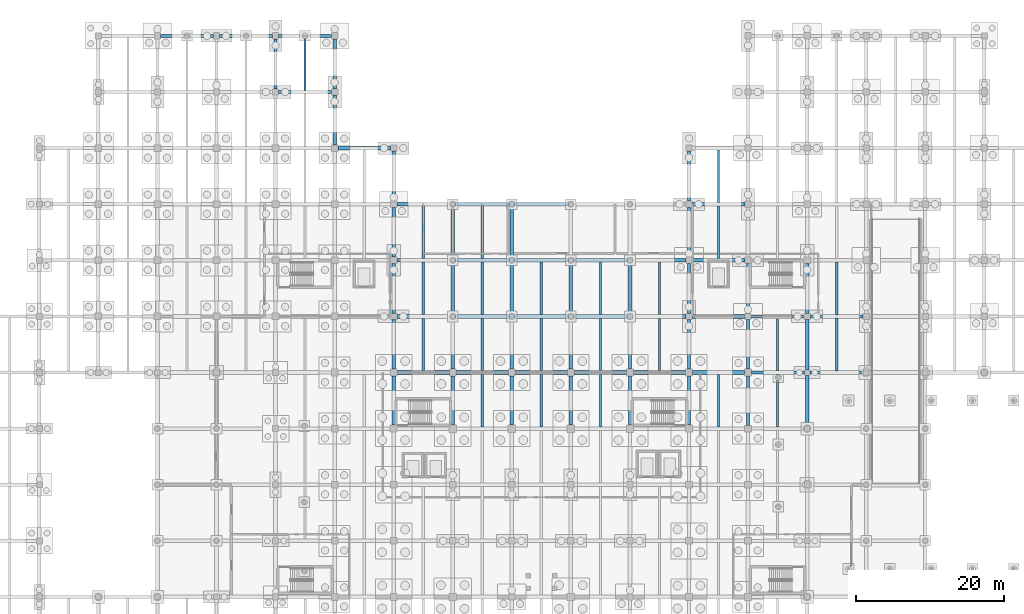
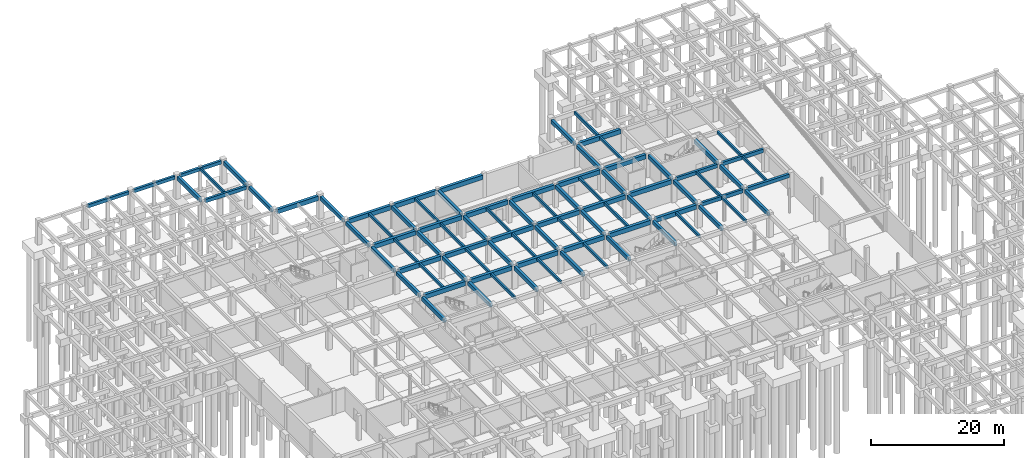
# One storey, part 30 of 49: 87 beams.
"""IFC4 building model written with IfcOpenShell, lengths in metres."""

from ifc_helpers import new_model, si_unit, direction, frame, origin, origin_2d, place, context, subcontext, project, spatial, rectangle, extrude, material, material_profile, profile_set, type_object, element, save


model = new_model("IFC4")

# Units and contexts
model_context = context("Model", 3, precision=1e-05, world=origin(), true_north=direction((0.0, 1.0)))
body_context = subcontext(model_context, "Body", "Model", "MODEL_VIEW")
ifc_project = project(units=[si_unit("LENGTHUNIT", "METRE"), si_unit("AREAUNIT", "SQUARE_METRE"), si_unit("VOLUMEUNIT", "CUBIC_METRE"), si_unit("PLANEANGLEUNIT", "RADIAN"), si_unit("MASSUNIT", "GRAM", prefix="KILO")], contexts=[model_context])

# Site, building, storey
site_placement = place(None, origin())
site = spatial("IfcSite", under=ifc_project, at=site_placement, CompositionType="ELEMENT")
building_placement = place(site_placement, origin())
building = spatial("IfcBuilding", under=site, at=building_placement, Name="Zantavel Square City Hall", CompositionType="ELEMENT")
storey_placement = place(building_placement, frame((0.0, 0.0, -4.5)))
storey = spatial("IfcBuildingStorey", under=building, at=storey_placement, Name="B1", CompositionType="ELEMENT", Elevation=-4.5)

# Beams
ifc_material = material(Name="Concrete C35/45", Category="concrete")
ifc_material_profile_1 = material_profile(ifc_material, rectangle(XDim=0.449951171875, YDim=0.64990234375, at=origin_2d()), Name="RC 450x650")
ifc_profile_set_1 = profile_set([ifc_material_profile_1], Name="Concrete C35/45")
beam_type_1 = type_object("IfcBeamType", Name="Courtyard Cloister Girder RC 450x650 C35/45", PredefinedType="BEAM", material=ifc_profile_set_1)
beam_1_placement = place(storey_placement, frame((120.375, 68.39990234375, 3.875), z_axis=(1.0, 0.0, 0.0), x_axis=(0.0, 1.0, 0.0)))
element("IfcBeam", 1, at=beam_1_placement, inside=storey, type_object=beam_type_1, Name="B1 Girder BMX-B1-1200-0684", PredefinedType="BEAM", context=body_context, shape_type="SweptSolid", body=[
    extrude(rectangle(XDim=0.449951171875, YDim=0.64990234375, at=origin_2d()), origin(), (0.0, 0.0, 1.0), 7.25),
])
ifc_material_profile_2 = material_profile(ifc_material, rectangle(XDim=0.300048828125, YDim=0.5, at=origin_2d()), Name="RC 300x500")
ifc_profile_set_2 = profile_set([ifc_material_profile_2], Name="Concrete C35/45")
beam_type_2 = type_object("IfcBeamType", Name="Floor Joist RC 300x500 C35/45", PredefinedType="JOIST", material=ifc_profile_set_2)
beam_2_placement = place(storey_placement, frame((52.0, 106.60009765625, 3.949951171875), z_axis=(0.0, 1.0, 0.0), x_axis=(-1.0, 0.0, 0.0)))
element("IfcBeam", 2, at=beam_2_placement, inside=storey, type_object=beam_type_2, Name="B1 Floor Joist JST-B1-0520-1064", PredefinedType="JOIST", context=body_context, shape_type="SweptSolid", body=[
    extrude(rectangle(XDim=0.300048828125, YDim=0.5, at=origin_2d()), origin(), (0.0, 0.0, 1.0), 7.199951171875),
])
for number, where, z_axis, x_axis, name in (
    (3, (68.0, 68.64990234375, 3.949951171875), (0.0, 1.0, 0.0), (-1.0, 0.0, 0.0), "B1 Floor Joist JST-B1-0680-0684"),
    (4, (68.0, 76.25, 3.949951171875), (0.0, 1.0, 0.0), (-1.0, 0.0, 0.0), "B1 Floor Joist JST-B1-0680-0760"),
):
    element("IfcBeam", number, at=place(storey_placement, frame(where, z_axis=z_axis, x_axis=x_axis)), inside=storey, type_object=beam_type_2, Name=name, PredefinedType="JOIST", context=body_context, shape_type="SweptSolid", body=[
        extrude(rectangle(XDim=0.300048828125, YDim=0.5, at=origin_2d()), origin(), (0.0, 0.0, 1.0), 7.10009765625),
    ])
for number, where, z_axis, x_axis, name in (
    (5, (68.0, 83.85009765625, 3.949951171875), (0.0, 1.0, 0.0), (-1.0, 0.0, 0.0), "B1 Floor Joist JST-B1-0680-0836"),
    (6, (76.0, 61.050048828125, 3.949951171875), (0.0, 1.0, 0.0), (-1.0, 0.0, 0.0), "B1 Floor Joist JST-B1-0760-0608"),
):
    element("IfcBeam", number, at=place(storey_placement, frame(where, z_axis=z_axis, x_axis=x_axis)), inside=storey, type_object=beam_type_2, Name=name, PredefinedType="JOIST", context=body_context, shape_type="SweptSolid", body=[
        extrude(rectangle(XDim=0.300048828125, YDim=0.5, at=origin_2d()), origin(), (0.0, 0.0, 1.0), 7.099853515625),
    ])
for number, where, z_axis, x_axis, name in (
    (7, (76.0, 68.64990234375, 3.949951171875), (0.0, 1.0, 0.0), (-1.0, 0.0, 0.0), "B1 Floor Joist JST-B1-0760-0684"),
    (8, (76.0, 76.25, 3.949951171875), (0.0, 1.0, 0.0), (-1.0, 0.0, 0.0), "B1 Floor Joist JST-B1-0760-0760"),
):
    element("IfcBeam", number, at=place(storey_placement, frame(where, z_axis=z_axis, x_axis=x_axis)), inside=storey, type_object=beam_type_2, Name=name, PredefinedType="JOIST", context=body_context, shape_type="SweptSolid", body=[
        extrude(rectangle(XDim=0.300048828125, YDim=0.5, at=origin_2d()), origin(), (0.0, 0.0, 1.0), 7.10009765625),
    ])
for number, where, z_axis, x_axis, name in (
    (9, (76.0, 83.85009765625, 3.949951171875), (0.0, 1.0, 0.0), (-1.0, 0.0, 0.0), "B1 Floor Joist JST-B1-0760-0836"),
    (10, (84.0, 61.050048828125, 3.949951171875), (0.0, 1.0, 0.0), (-1.0, 0.0, 0.0), "B1 Floor Joist JST-B1-0840-0608"),
):
    element("IfcBeam", number, at=place(storey_placement, frame(where, z_axis=z_axis, x_axis=x_axis)), inside=storey, type_object=beam_type_2, Name=name, PredefinedType="JOIST", context=body_context, shape_type="SweptSolid", body=[
        extrude(rectangle(XDim=0.300048828125, YDim=0.5, at=origin_2d()), origin(), (0.0, 0.0, 1.0), 7.099853515625),
    ])
for number, where, z_axis, x_axis, name in (
    (11, (84.0, 68.64990234375, 3.949951171875), (0.0, 1.0, 0.0), (-1.0, 0.0, 0.0), "B1 Floor Joist JST-B1-0840-0684"),
    (12, (84.0, 76.25, 3.949951171875), (0.0, 1.0, 0.0), (-1.0, 0.0, 0.0), "B1 Floor Joist JST-B1-0840-0760"),
):
    element("IfcBeam", number, at=place(storey_placement, frame(where, z_axis=z_axis, x_axis=x_axis)), inside=storey, type_object=beam_type_2, Name=name, PredefinedType="JOIST", context=body_context, shape_type="SweptSolid", body=[
        extrude(rectangle(XDim=0.300048828125, YDim=0.5, at=origin_2d()), origin(), (0.0, 0.0, 1.0), 7.10009765625),
    ])
beam_3_placement = place(storey_placement, frame((92.0, 61.050048828125, 3.949951171875), z_axis=(0.0, 1.0, 0.0), x_axis=(-1.0, 0.0, 0.0)))
element("IfcBeam", 13, at=beam_3_placement, inside=storey, type_object=beam_type_2, Name="B1 Floor Joist JST-B1-0920-0608", PredefinedType="JOIST", context=body_context, shape_type="SweptSolid", body=[
    extrude(rectangle(XDim=0.300048828125, YDim=0.5, at=origin_2d()), origin(), (0.0, 0.0, 1.0), 7.099853515625),
])
for number, where, z_axis, x_axis, name in (
    (14, (92.0, 68.64990234375, 3.949951171875), (0.0, 1.0, 0.0), (-1.0, 0.0, 0.0), "B1 Floor Joist JST-B1-0920-0684"),
    (15, (92.0, 76.25, 3.949951171875), (0.0, 1.0, 0.0), (-1.0, 0.0, 0.0), "B1 Floor Joist JST-B1-0920-0760"),
    (16, (100.0, 68.64990234375, 3.949951171875), (0.0, 1.0, 0.0), (-1.0, 0.0, 0.0), "B1 Floor Joist JST-B1-1000-0684"),
    (17, (100.0, 76.25, 3.949951171875), (0.0, 1.0, 0.0), (-1.0, 0.0, 0.0), "B1 Floor Joist JST-B1-1000-0760"),
):
    element("IfcBeam", number, at=place(storey_placement, frame(where, z_axis=z_axis, x_axis=x_axis)), inside=storey, type_object=beam_type_2, Name=name, PredefinedType="JOIST", context=body_context, shape_type="SweptSolid", body=[
        extrude(rectangle(XDim=0.300048828125, YDim=0.5, at=origin_2d()), origin(), (0.0, 0.0, 1.0), 7.10009765625),
    ])
for number, where, z_axis, x_axis, name in (
    (18, (108.0, 61.050048828125, 3.949951171875), (0.0, 1.0, 0.0), (-1.0, 0.0, 0.0), "B1 Floor Joist JST-B1-1080-0608"),
    (19, (108.0, 83.85009765625, 3.949951171875), (0.0, 1.0, 0.0), (-1.0, 0.0, 0.0), "B1 Floor Joist JST-B1-1080-0836"),
):
    element("IfcBeam", number, at=place(storey_placement, frame(where, z_axis=z_axis, x_axis=x_axis)), inside=storey, type_object=beam_type_2, Name=name, PredefinedType="JOIST", context=body_context, shape_type="SweptSolid", body=[
        extrude(rectangle(XDim=0.300048828125, YDim=0.5, at=origin_2d()), origin(), (0.0, 0.0, 1.0), 7.099853515625),
    ])
beam_4_placement = place(storey_placement, frame((108.0, 91.449951171875, 3.949951171875), z_axis=(0.0, 1.0, 0.0), x_axis=(-1.0, 0.0, 0.0)))
element("IfcBeam", 20, at=beam_4_placement, inside=storey, type_object=beam_type_2, Name="B1 Floor Joist JST-B1-1080-0912", PredefinedType="JOIST", context=body_context, shape_type="SweptSolid", body=[
    extrude(rectangle(XDim=0.300048828125, YDim=0.5, at=origin_2d()), origin(), (0.0, 0.0, 1.0), 7.10009765625),
])
for number, where, z_axis, x_axis, name in (
    (21, (116.0, 61.0, 3.949951171875), (0.0, 1.0, 0.0), (-1.0, 0.0, 0.0), "B1 Floor Joist JST-B1-1160-0608"),
    (22, (116.0, 68.60009765625, 3.949951171875), (0.0, 1.0, 0.0), (-1.0, 0.0, 0.0), "B1 Floor Joist JST-B1-1160-0684"),
):
    element("IfcBeam", number, at=place(storey_placement, frame(where, z_axis=z_axis, x_axis=x_axis)), inside=storey, type_object=beam_type_2, Name=name, PredefinedType="JOIST", context=body_context, shape_type="SweptSolid", body=[
        extrude(rectangle(XDim=0.300048828125, YDim=0.5, at=origin_2d()), origin(), (0.0, 0.0, 1.0), 7.199951171875),
    ])
beam_5_placement = place(storey_placement, frame((124.0, 68.625, 3.949951171875), z_axis=(0.0, 1.0, 0.0), x_axis=(-1.0, 0.0, 0.0)))
element("IfcBeam", 23, at=beam_5_placement, inside=storey, type_object=beam_type_2, Name="B1 Floor Joist JST-B1-1240-0684", PredefinedType="JOIST", context=body_context, shape_type="SweptSolid", body=[
    extrude(rectangle(XDim=0.300048828125, YDim=0.5, at=origin_2d()), origin(), (0.0, 0.0, 1.0), 7.175048828125),
])
beam_6_placement = place(storey_placement, frame((124.0, 76.199951171875, 3.949951171875), z_axis=(0.0, 1.0, 0.0), x_axis=(-1.0, 0.0, 0.0)))
element("IfcBeam", 24, at=beam_6_placement, inside=storey, type_object=beam_type_2, Name="B1 Floor Joist JST-B1-1240-0760", PredefinedType="JOIST", context=body_context, shape_type="SweptSolid", body=[
    extrude(rectangle(XDim=0.300048828125, YDim=0.5, at=origin_2d()), origin(), (0.0, 0.0, 1.0), 7.199951171875),
])
ifc_material_profile_3 = material_profile(ifc_material, rectangle(XDim=0.39990234375, YDim=0.64990234375, at=origin_2d()), Name="RC 400x650")
ifc_profile_set_3 = profile_set([ifc_material_profile_3], Name="Concrete C35/45")
beam_type_3 = type_object("IfcBeamType", Name="Frame Beam RC 400x650 C35/45", PredefinedType="BEAM", material=ifc_profile_set_3)
beam_7_placement = place(storey_placement, frame((48.425048828125, 106.39990234375, 3.875), z_axis=(1.0, 0.0, 0.0), x_axis=(0.0, 1.0, 0.0)))
element("IfcBeam", 25, at=beam_7_placement, inside=storey, type_object=beam_type_3, Name="B1 Girder BMX-B1-0480-1064", PredefinedType="BEAM", context=body_context, shape_type="SweptSolid", body=[
    extrude(rectangle(XDim=0.39990234375, YDim=0.64990234375, at=origin_2d()), origin(), (0.0, 0.0, 1.0), 7.14990234375),
])
beam_8_placement = place(storey_placement, frame((112.449951171875, 68.39990234375, 3.875), z_axis=(1.0, 0.0, 0.0), x_axis=(0.0, 1.0, 0.0)))
element("IfcBeam", 26, at=beam_8_placement, inside=storey, type_object=beam_type_3, Name="B1 Girder BMX-B1-1120-0684", PredefinedType="BEAM", context=body_context, shape_type="SweptSolid", body=[
    extrude(rectangle(XDim=0.39990234375, YDim=0.64990234375, at=origin_2d()), origin(), (0.0, 0.0, 1.0), 7.175048828125),
])
for number, where, z_axis, x_axis, name in (
    (27, (112.425048828125, 76.0, 3.875), (1.0, 0.0, 0.0), (0.0, 1.0, 0.0), "B1 Girder BMX-B1-1120-0760"),
    (28, (120.425048828125, 76.0, 3.875), (1.0, 0.0, 0.0), (0.0, 1.0, 0.0), "B1 Girder BMX-B1-1200-0760"),
):
    element("IfcBeam", number, at=place(storey_placement, frame(where, z_axis=z_axis, x_axis=x_axis)), inside=storey, type_object=beam_type_3, Name=name, PredefinedType="BEAM", context=body_context, shape_type="SweptSolid", body=[
        extrude(rectangle(XDim=0.39990234375, YDim=0.64990234375, at=origin_2d()), origin(), (0.0, 0.0, 1.0), 7.14990234375),
    ])
ifc_material_profile_4 = material_profile(ifc_material, rectangle(XDim=0.39990234375, YDim=0.60009765625, at=origin_2d()), Name="RC 400x600")
ifc_profile_set_4 = profile_set([ifc_material_profile_4], Name="Concrete C35/45")
beam_type_4 = type_object("IfcBeamType", Name="Perimeter Spandrel RC 400x600 C35/45", PredefinedType="SPANDREL", material=ifc_profile_set_4)
for number, where, z_axis, x_axis, name in (
    (29, (32.425048828125, 114.0, 3.89990234375), (1.0, 0.0, 0.0), (0.0, 1.0, 0.0), "B1 Girder BMX-B1-0320-1140"),
    (30, (40.425048828125, 114.0, 3.89990234375), (1.0, 0.0, 0.0), (0.0, 1.0, 0.0), "B1 Girder BMX-B1-0400-1140"),
    (31, (48.425048828125, 114.0, 3.89990234375), (1.0, 0.0, 0.0), (0.0, 1.0, 0.0), "B1 Girder BMX-B1-0480-1140"),
):
    element("IfcBeam", number, at=place(storey_placement, frame(where, z_axis=z_axis, x_axis=x_axis)), inside=storey, type_object=beam_type_4, Name=name, PredefinedType="SPANDREL", context=body_context, shape_type="SweptSolid", body=[
        extrude(rectangle(XDim=0.39990234375, YDim=0.60009765625, at=origin_2d()), origin(), (0.0, 0.0, 1.0), 7.14990234375),
    ])
ifc_material_profile_5 = material_profile(ifc_material, rectangle(XDim=0.449951171875, YDim=0.699951171875, at=origin_2d()), Name="RC 450x700")
ifc_profile_set_5 = profile_set([ifc_material_profile_5], Name="Concrete C35/45")
beam_type_5 = type_object("IfcBeamType", Name="Primary Girder RC 450x700 C35/45", PredefinedType="BEAM", material=ifc_profile_set_5)
beam_9_placement = place(storey_placement, frame((48.0, 106.824951171875, 3.85009765625), z_axis=(0.0, 1.0, 0.0), x_axis=(-1.0, 0.0, 0.0)))
element("IfcBeam", 32, at=beam_9_placement, inside=storey, type_object=beam_type_5, Name="B1 Beam BMY-B1-0480-1064", PredefinedType="BEAM", context=body_context, shape_type="SweptSolid", body=[
    extrude(rectangle(XDim=0.449951171875, YDim=0.699951171875, at=origin_2d()), origin(), (0.0, 0.0, 1.0), 6.75),
])
beam_10_placement = place(storey_placement, frame((56.0, 99.25, 3.85009765625), z_axis=(0.0, 1.0, 0.0), x_axis=(-1.0, 0.0, 0.0)))
element("IfcBeam", 33, at=beam_10_placement, inside=storey, type_object=beam_type_5, Name="B1 Beam BMY-B1-0560-0988", PredefinedType="BEAM", context=body_context, shape_type="SweptSolid", body=[
    extrude(rectangle(XDim=0.449951171875, YDim=0.699951171875, at=origin_2d()), origin(), (0.0, 0.0, 1.0), 6.72509765625),
])
beam_11_placement = place(storey_placement, frame((56.0, 106.824951171875, 3.85009765625), z_axis=(0.0, 1.0, 0.0), x_axis=(-1.0, 0.0, 0.0)))
element("IfcBeam", 34, at=beam_11_placement, inside=storey, type_object=beam_type_5, Name="B1 Beam BMY-B1-0560-1064", PredefinedType="BEAM", context=body_context, shape_type="SweptSolid", body=[
    extrude(rectangle(XDim=0.449951171875, YDim=0.699951171875, at=origin_2d()), origin(), (0.0, 0.0, 1.0), 6.75),
])
beam_12_placement = place(storey_placement, frame((64.0, 61.27490234375, 3.85009765625), z_axis=(0.0, 1.0, 0.0), x_axis=(-1.0, 0.0, 0.0)))
element("IfcBeam", 35, at=beam_12_placement, inside=storey, type_object=beam_type_5, Name="B1 Beam BMY-B1-0640-0608", PredefinedType="BEAM", context=body_context, shape_type="SweptSolid", body=[
    extrude(rectangle(XDim=0.449951171875, YDim=0.699951171875, at=origin_2d()), origin(), (0.0, 0.0, 1.0), 6.675048828125),
])
beam_13_placement = place(storey_placement, frame((64.0, 68.85009765625, 3.85009765625), z_axis=(0.0, 1.0, 0.0), x_axis=(-1.0, 0.0, 0.0)))
element("IfcBeam", 36, at=beam_13_placement, inside=storey, type_object=beam_type_5, Name="B1 Beam BMY-B1-0640-0684", PredefinedType="BEAM", context=body_context, shape_type="SweptSolid", body=[
    extrude(rectangle(XDim=0.449951171875, YDim=0.699951171875, at=origin_2d()), origin(), (0.0, 0.0, 1.0), 6.724853515625),
])
for number, where, z_axis, x_axis, name in (
    (37, (64.0, 76.425048828125, 3.81005859375), (0.0, 1.0, 0.0), (-1.0, 0.0, 0.0), "B1 Beam BMY-B1-0640-0760"),
    (38, (64.0, 84.02490234375, 3.81005859375), (0.0, 1.0, 0.0), (-1.0, 0.0, 0.0), "B1 Beam BMY-B1-0640-0836"),
    (39, (64.0, 91.625, 3.81005859375), (0.0, 1.0, 0.0), (-1.0, 0.0, 0.0), "B1 Beam BMY-B1-0640-0912"),
):
    element("IfcBeam", number, at=place(storey_placement, frame(where, z_axis=z_axis, x_axis=x_axis)), inside=storey, type_object=beam_type_5, Name=name, PredefinedType="BEAM", context=body_context, shape_type="SweptSolid", body=[
        extrude(rectangle(XDim=0.449951171875, YDim=0.699951171875, at=origin_2d()), origin(), (0.0, 0.0, 1.0), 6.75),
    ])
beam_14_placement = place(storey_placement, frame((72.0, 61.300048828125, 3.85009765625), z_axis=(0.0, 1.0, 0.0), x_axis=(-1.0, 0.0, 0.0)))
element("IfcBeam", 40, at=beam_14_placement, inside=storey, type_object=beam_type_5, Name="B1 Beam BMY-B1-0720-0608", PredefinedType="BEAM", context=body_context, shape_type="SweptSolid", body=[
    extrude(rectangle(XDim=0.449951171875, YDim=0.699951171875, at=origin_2d()), origin(), (0.0, 0.0, 1.0), 6.64990234375),
])
beam_15_placement = place(storey_placement, frame((72.0, 68.85009765625, 3.85009765625), z_axis=(0.0, 1.0, 0.0), x_axis=(-1.0, 0.0, 0.0)))
element("IfcBeam", 41, at=beam_15_placement, inside=storey, type_object=beam_type_5, Name="B1 Beam BMY-B1-0720-0684", PredefinedType="BEAM", context=body_context, shape_type="SweptSolid", body=[
    extrude(rectangle(XDim=0.449951171875, YDim=0.699951171875, at=origin_2d()), origin(), (0.0, 0.0, 1.0), 6.824951171875),
])
beam_16_placement = place(storey_placement, frame((72.0, 76.324951171875, 3.85009765625), z_axis=(0.0, 1.0, 0.0), x_axis=(-1.0, 0.0, 0.0)))
element("IfcBeam", 42, at=beam_16_placement, inside=storey, type_object=beam_type_5, Name="B1 Beam BMY-B1-0720-0760", PredefinedType="BEAM", context=body_context, shape_type="SweptSolid", body=[
    extrude(rectangle(XDim=0.449951171875, YDim=0.699951171875, at=origin_2d()), origin(), (0.0, 0.0, 1.0), 6.949951171875),
])
beam_17_placement = place(storey_placement, frame((72.0, 83.925048828125, 3.85009765625), z_axis=(0.0, 1.0, 0.0), x_axis=(-1.0, 0.0, 0.0)))
element("IfcBeam", 43, at=beam_17_placement, inside=storey, type_object=beam_type_5, Name="B1 Beam BMY-B1-0720-0836", PredefinedType="BEAM", context=body_context, shape_type="SweptSolid", body=[
    extrude(rectangle(XDim=0.449951171875, YDim=0.699951171875, at=origin_2d()), origin(), (0.0, 0.0, 1.0), 6.974853515625),
])
beam_18_placement = place(storey_placement, frame((80.0, 61.300048828125, 3.85009765625), z_axis=(0.0, 1.0, 0.0), x_axis=(-1.0, 0.0, 0.0)))
element("IfcBeam", 44, at=beam_18_placement, inside=storey, type_object=beam_type_5, Name="B1 Beam BMY-B1-0800-0608", PredefinedType="BEAM", context=body_context, shape_type="SweptSolid", body=[
    extrude(rectangle(XDim=0.449951171875, YDim=0.699951171875, at=origin_2d()), origin(), (0.0, 0.0, 1.0), 6.64990234375),
])
beam_19_placement = place(storey_placement, frame((80.0, 68.85009765625, 3.85009765625), z_axis=(0.0, 1.0, 0.0), x_axis=(-1.0, 0.0, 0.0)))
element("IfcBeam", 45, at=beam_19_placement, inside=storey, type_object=beam_type_5, Name="B1 Beam BMY-B1-0800-0684", PredefinedType="BEAM", context=body_context, shape_type="SweptSolid", body=[
    extrude(rectangle(XDim=0.449951171875, YDim=0.699951171875, at=origin_2d()), origin(), (0.0, 0.0, 1.0), 6.824951171875),
])
beam_20_placement = place(storey_placement, frame((80.0, 76.324951171875, 3.85009765625), z_axis=(0.0, 1.0, 0.0), x_axis=(-1.0, 0.0, 0.0)))
element("IfcBeam", 46, at=beam_20_placement, inside=storey, type_object=beam_type_5, Name="B1 Beam BMY-B1-0800-0760", PredefinedType="BEAM", context=body_context, shape_type="SweptSolid", body=[
    extrude(rectangle(XDim=0.449951171875, YDim=0.699951171875, at=origin_2d()), origin(), (0.0, 0.0, 1.0), 6.949951171875),
])
beam_21_placement = place(storey_placement, frame((80.0, 83.925048828125, 3.85009765625), z_axis=(0.0, 1.0, 0.0), x_axis=(-1.0, 0.0, 0.0)))
element("IfcBeam", 47, at=beam_21_placement, inside=storey, type_object=beam_type_5, Name="B1 Beam BMY-B1-0800-0836", PredefinedType="BEAM", context=body_context, shape_type="SweptSolid", body=[
    extrude(rectangle(XDim=0.449951171875, YDim=0.699951171875, at=origin_2d()), origin(), (0.0, 0.0, 1.0), 6.974853515625),
])
beam_22_placement = place(storey_placement, frame((88.0, 61.300048828125, 3.85009765625), z_axis=(0.0, 1.0, 0.0), x_axis=(-1.0, 0.0, 0.0)))
element("IfcBeam", 48, at=beam_22_placement, inside=storey, type_object=beam_type_5, Name="B1 Beam BMY-B1-0880-0608", PredefinedType="BEAM", context=body_context, shape_type="SweptSolid", body=[
    extrude(rectangle(XDim=0.449951171875, YDim=0.699951171875, at=origin_2d()), origin(), (0.0, 0.0, 1.0), 6.64990234375),
])
beam_23_placement = place(storey_placement, frame((88.0, 68.85009765625, 3.85009765625), z_axis=(0.0, 1.0, 0.0), x_axis=(-1.0, 0.0, 0.0)))
element("IfcBeam", 49, at=beam_23_placement, inside=storey, type_object=beam_type_5, Name="B1 Beam BMY-B1-0880-0684", PredefinedType="BEAM", context=body_context, shape_type="SweptSolid", body=[
    extrude(rectangle(XDim=0.449951171875, YDim=0.699951171875, at=origin_2d()), origin(), (0.0, 0.0, 1.0), 6.824951171875),
])
beam_24_placement = place(storey_placement, frame((88.0, 76.324951171875, 3.85009765625), z_axis=(0.0, 1.0, 0.0), x_axis=(-1.0, 0.0, 0.0)))
element("IfcBeam", 50, at=beam_24_placement, inside=storey, type_object=beam_type_5, Name="B1 Beam BMY-B1-0880-0760", PredefinedType="BEAM", context=body_context, shape_type="SweptSolid", body=[
    extrude(rectangle(XDim=0.449951171875, YDim=0.699951171875, at=origin_2d()), origin(), (0.0, 0.0, 1.0), 6.949951171875),
])
beam_25_placement = place(storey_placement, frame((96.0, 61.300048828125, 3.85009765625), z_axis=(0.0, 1.0, 0.0), x_axis=(-1.0, 0.0, 0.0)))
element("IfcBeam", 51, at=beam_25_placement, inside=storey, type_object=beam_type_5, Name="B1 Beam BMY-B1-0960-0608", PredefinedType="BEAM", context=body_context, shape_type="SweptSolid", body=[
    extrude(rectangle(XDim=0.449951171875, YDim=0.699951171875, at=origin_2d()), origin(), (0.0, 0.0, 1.0), 6.64990234375),
])
beam_26_placement = place(storey_placement, frame((96.0, 68.85009765625, 3.85009765625), z_axis=(0.0, 1.0, 0.0), x_axis=(-1.0, 0.0, 0.0)))
element("IfcBeam", 52, at=beam_26_placement, inside=storey, type_object=beam_type_5, Name="B1 Beam BMY-B1-0960-0684", PredefinedType="BEAM", context=body_context, shape_type="SweptSolid", body=[
    extrude(rectangle(XDim=0.449951171875, YDim=0.699951171875, at=origin_2d()), origin(), (0.0, 0.0, 1.0), 6.824951171875),
])
beam_27_placement = place(storey_placement, frame((96.0, 76.324951171875, 3.85009765625), z_axis=(0.0, 1.0, 0.0), x_axis=(-1.0, 0.0, 0.0)))
element("IfcBeam", 53, at=beam_27_placement, inside=storey, type_object=beam_type_5, Name="B1 Beam BMY-B1-0960-0760", PredefinedType="BEAM", context=body_context, shape_type="SweptSolid", body=[
    extrude(rectangle(XDim=0.449951171875, YDim=0.699951171875, at=origin_2d()), origin(), (0.0, 0.0, 1.0), 6.949951171875),
])
beam_28_placement = place(storey_placement, frame((104.0, 61.27490234375, 3.85009765625), z_axis=(0.0, 1.0, 0.0), x_axis=(-1.0, 0.0, 0.0)))
element("IfcBeam", 54, at=beam_28_placement, inside=storey, type_object=beam_type_5, Name="B1 Beam BMY-B1-1040-0608", PredefinedType="BEAM", context=body_context, shape_type="SweptSolid", body=[
    extrude(rectangle(XDim=0.449951171875, YDim=0.699951171875, at=origin_2d()), origin(), (0.0, 0.0, 1.0), 6.675048828125),
])
beam_29_placement = place(storey_placement, frame((104.0, 68.85009765625, 3.85009765625), z_axis=(0.0, 1.0, 0.0), x_axis=(-1.0, 0.0, 0.0)))
element("IfcBeam", 55, at=beam_29_placement, inside=storey, type_object=beam_type_5, Name="B1 Beam BMY-B1-1040-0684", PredefinedType="BEAM", context=body_context, shape_type="SweptSolid", body=[
    extrude(rectangle(XDim=0.449951171875, YDim=0.699951171875, at=origin_2d()), origin(), (0.0, 0.0, 1.0), 6.724853515625),
])
for number, where, z_axis, x_axis, name in (
    (56, (104.0, 76.425048828125, 3.85009765625), (0.0, 1.0, 0.0), (-1.0, 0.0, 0.0), "B1 Beam BMY-B1-1040-0760"),
    (57, (104.0, 84.02490234375, 3.85009765625), (0.0, 1.0, 0.0), (-1.0, 0.0, 0.0), "B1 Beam BMY-B1-1040-0836"),
    (58, (104.0, 91.625, 3.85009765625), (0.0, 1.0, 0.0), (-1.0, 0.0, 0.0), "B1 Beam BMY-B1-1040-0912"),
):
    element("IfcBeam", number, at=place(storey_placement, frame(where, z_axis=z_axis, x_axis=x_axis)), inside=storey, type_object=beam_type_5, Name=name, PredefinedType="BEAM", context=body_context, shape_type="SweptSolid", body=[
        extrude(rectangle(XDim=0.449951171875, YDim=0.699951171875, at=origin_2d()), origin(), (0.0, 0.0, 1.0), 6.75),
    ])
beam_30_placement = place(storey_placement, frame((112.0, 61.25, 3.85009765625), z_axis=(0.0, 1.0, 0.0), x_axis=(-1.0, 0.0, 0.0)))
element("IfcBeam", 59, at=beam_30_placement, inside=storey, type_object=beam_type_5, Name="B1 Beam BMY-B1-1120-0608", PredefinedType="BEAM", context=body_context, shape_type="SweptSolid", body=[
    extrude(rectangle(XDim=0.449951171875, YDim=0.699951171875, at=origin_2d()), origin(), (0.0, 0.0, 1.0), 6.699951171875),
])
beam_31_placement = place(storey_placement, frame((112.0, 68.85009765625, 3.85009765625), z_axis=(0.0, 1.0, 0.0), x_axis=(-1.0, 0.0, 0.0)))
element("IfcBeam", 60, at=beam_31_placement, inside=storey, type_object=beam_type_5, Name="B1 Beam BMY-B1-1120-0684", PredefinedType="BEAM", context=body_context, shape_type="SweptSolid", body=[
    extrude(rectangle(XDim=0.449951171875, YDim=0.699951171875, at=origin_2d()), origin(), (0.0, 0.0, 1.0), 6.724853515625),
])
beam_32_placement = place(storey_placement, frame((112.0, 76.425048828125, 3.85009765625), z_axis=(0.0, 1.0, 0.0), x_axis=(-1.0, 0.0, 0.0)))
element("IfcBeam", 61, at=beam_32_placement, inside=storey, type_object=beam_type_5, Name="B1 Beam BMY-B1-1120-0760", PredefinedType="BEAM", context=body_context, shape_type="SweptSolid", body=[
    extrude(rectangle(XDim=0.449951171875, YDim=0.699951171875, at=origin_2d()), origin(), (0.0, 0.0, 1.0), 6.75),
])
beam_33_placement = place(storey_placement, frame((120.0, 61.175048828125, 3.85009765625), z_axis=(0.0, 1.0, 0.0), x_axis=(-1.0, 0.0, 0.0)))
element("IfcBeam", 62, at=beam_33_placement, inside=storey, type_object=beam_type_5, Name="B1 Beam BMY-B1-1200-0608", PredefinedType="BEAM", context=body_context, shape_type="SweptSolid", body=[
    extrude(rectangle(XDim=0.449951171875, YDim=0.699951171875, at=origin_2d()), origin(), (0.0, 0.0, 1.0), 6.849853515625),
])
beam_34_placement = place(storey_placement, frame((120.0, 68.77490234375, 3.85009765625), z_axis=(0.0, 1.0, 0.0), x_axis=(-1.0, 0.0, 0.0)))
element("IfcBeam", 63, at=beam_34_placement, inside=storey, type_object=beam_type_5, Name="B1 Beam BMY-B1-1200-0684", PredefinedType="BEAM", context=body_context, shape_type="SweptSolid", body=[
    extrude(rectangle(XDim=0.449951171875, YDim=0.699951171875, at=origin_2d()), origin(), (0.0, 0.0, 1.0), 6.800048828125),
])
beam_35_placement = place(storey_placement, frame((120.0, 76.425048828125, 3.85009765625), z_axis=(0.0, 1.0, 0.0), x_axis=(-1.0, 0.0, 0.0)))
element("IfcBeam", 64, at=beam_35_placement, inside=storey, type_object=beam_type_5, Name="B1 Beam BMY-B1-1200-0760", PredefinedType="BEAM", context=body_context, shape_type="SweptSolid", body=[
    extrude(rectangle(XDim=0.449951171875, YDim=0.699951171875, at=origin_2d()), origin(), (0.0, 0.0, 1.0), 6.75),
])
ifc_material_profile_6 = material_profile(ifc_material, rectangle(XDim=0.5, YDim=0.800048828125, at=origin_2d()), Name="RC 500x800")
ifc_profile_set_6 = profile_set([ifc_material_profile_6], Name="Concrete C35/45")
beam_type_6 = type_object("IfcBeamType", Name="Primary Girder RC 500x800 C35/45", PredefinedType="BEAM", material=ifc_profile_set_6)
beam_36_placement = place(storey_placement, frame((56.449951171875, 98.800048828125, 3.760009765625), z_axis=(1.0, 0.0, 0.0), x_axis=(0.0, 1.0, 0.0)))
element("IfcBeam", 65, at=beam_36_placement, inside=storey, type_object=beam_type_6, Name="B1 Girder BMX-B1-0560-0988", PredefinedType="BEAM", context=body_context, shape_type="SweptSolid", body=[
    extrude(rectangle(XDim=0.5, YDim=0.800048828125, at=origin_2d()), origin(), (0.0, 0.0, 1.0), 7.125),
])
beam_37_placement = place(storey_placement, frame((64.449951171875, 68.39990234375, 3.800048828125), z_axis=(1.0, 0.0, 0.0), x_axis=(0.0, 1.0, 0.0)))
element("IfcBeam", 66, at=beam_37_placement, inside=storey, type_object=beam_type_6, Name="B1 Girder BMX-B1-0640-0684", PredefinedType="BEAM", context=body_context, shape_type="SweptSolid", body=[
    extrude(rectangle(XDim=0.5, YDim=0.800048828125, at=origin_2d()), origin(), (0.0, 0.0, 1.0), 7.10009765625),
])
for number, where, z_axis, x_axis, name in (
    (67, (64.425048828125, 76.0, 3.800048828125), (1.0, 0.0, 0.0), (0.0, 1.0, 0.0), "B1 Girder BMX-B1-0640-0760"),
    (68, (64.425048828125, 83.60009765625, 3.800048828125), (1.0, 0.0, 0.0), (0.0, 1.0, 0.0), "B1 Girder BMX-B1-0640-0836"),
):
    element("IfcBeam", number, at=place(storey_placement, frame(where, z_axis=z_axis, x_axis=x_axis)), inside=storey, type_object=beam_type_6, Name=name, PredefinedType="BEAM", context=body_context, shape_type="SweptSolid", body=[
        extrude(rectangle(XDim=0.5, YDim=0.800048828125, at=origin_2d()), origin(), (0.0, 0.0, 1.0), 7.25),
    ])
beam_38_placement = place(storey_placement, frame((64.425048828125, 91.199951171875, 3.800048828125), z_axis=(1.0, 0.0, 0.0), x_axis=(0.0, 1.0, 0.0)))
element("IfcBeam", 69, at=beam_38_placement, inside=storey, type_object=beam_type_6, Name="B1 Girder BMX-B1-0640-0912", PredefinedType="BEAM", context=body_context, shape_type="SweptSolid", body=[
    extrude(rectangle(XDim=0.5, YDim=0.800048828125, at=origin_2d()), origin(), (0.0, 0.0, 1.0), 7.27490234375),
])
beam_39_placement = place(storey_placement, frame((72.449951171875, 68.39990234375, 3.800048828125), z_axis=(1.0, 0.0, 0.0), x_axis=(0.0, 1.0, 0.0)))
element("IfcBeam", 70, at=beam_39_placement, inside=storey, type_object=beam_type_6, Name="B1 Girder BMX-B1-0720-0684", PredefinedType="BEAM", context=body_context, shape_type="SweptSolid", body=[
    extrude(rectangle(XDim=0.5, YDim=0.800048828125, at=origin_2d()), origin(), (0.0, 0.0, 1.0), 7.10009765625),
])
for number, where, z_axis, x_axis, name in (
    (71, (72.324951171875, 76.0, 3.800048828125), (1.0, 0.0, 0.0), (0.0, 1.0, 0.0), "B1 Girder BMX-B1-0720-0760"),
    (72, (72.324951171875, 83.60009765625, 3.800048828125), (1.0, 0.0, 0.0), (0.0, 1.0, 0.0), "B1 Girder BMX-B1-0720-0836"),
):
    element("IfcBeam", number, at=place(storey_placement, frame(where, z_axis=z_axis, x_axis=x_axis)), inside=storey, type_object=beam_type_6, Name=name, PredefinedType="BEAM", context=body_context, shape_type="SweptSolid", body=[
        extrude(rectangle(XDim=0.5, YDim=0.800048828125, at=origin_2d()), origin(), (0.0, 0.0, 1.0), 7.35009765625),
    ])
beam_40_placement = place(storey_placement, frame((72.300048828125, 91.199951171875, 3.800048828125), z_axis=(1.0, 0.0, 0.0), x_axis=(0.0, 1.0, 0.0)))
element("IfcBeam", 73, at=beam_40_placement, inside=storey, type_object=beam_type_6, Name="B1 Girder BMX-B1-0720-0912", PredefinedType="BEAM", context=body_context, shape_type="SweptSolid", body=[
    extrude(rectangle(XDim=0.5, YDim=0.800048828125, at=origin_2d()), origin(), (0.0, 0.0, 1.0), 7.39990234375),
])
beam_41_placement = place(storey_placement, frame((80.449951171875, 68.39990234375, 3.800048828125), z_axis=(1.0, 0.0, 0.0), x_axis=(0.0, 1.0, 0.0)))
element("IfcBeam", 74, at=beam_41_placement, inside=storey, type_object=beam_type_6, Name="B1 Girder BMX-B1-0800-0684", PredefinedType="BEAM", context=body_context, shape_type="SweptSolid", body=[
    extrude(rectangle(XDim=0.5, YDim=0.800048828125, at=origin_2d()), origin(), (0.0, 0.0, 1.0), 7.10009765625),
])
for number, where, z_axis, x_axis, name in (
    (75, (80.324951171875, 76.0, 3.800048828125), (1.0, 0.0, 0.0), (0.0, 1.0, 0.0), "B1 Girder BMX-B1-0800-0760"),
    (76, (80.324951171875, 83.60009765625, 3.800048828125), (1.0, 0.0, 0.0), (0.0, 1.0, 0.0), "B1 Girder BMX-B1-0800-0836"),
):
    element("IfcBeam", number, at=place(storey_placement, frame(where, z_axis=z_axis, x_axis=x_axis)), inside=storey, type_object=beam_type_6, Name=name, PredefinedType="BEAM", context=body_context, shape_type="SweptSolid", body=[
        extrude(rectangle(XDim=0.5, YDim=0.800048828125, at=origin_2d()), origin(), (0.0, 0.0, 1.0), 7.35009765625),
    ])
beam_42_placement = place(storey_placement, frame((80.300048828125, 91.199951171875, 3.800048828125), z_axis=(1.0, 0.0, 0.0), x_axis=(0.0, 1.0, 0.0)))
element("IfcBeam", 77, at=beam_42_placement, inside=storey, type_object=beam_type_6, Name="B1 Girder BMX-B1-0800-0912", PredefinedType="BEAM", context=body_context, shape_type="SweptSolid", body=[
    extrude(rectangle(XDim=0.5, YDim=0.800048828125, at=origin_2d()), origin(), (0.0, 0.0, 1.0), 7.39990234375),
])
beam_43_placement = place(storey_placement, frame((88.449951171875, 68.39990234375, 3.800048828125), z_axis=(1.0, 0.0, 0.0), x_axis=(0.0, 1.0, 0.0)))
element("IfcBeam", 78, at=beam_43_placement, inside=storey, type_object=beam_type_6, Name="B1 Girder BMX-B1-0880-0684", PredefinedType="BEAM", context=body_context, shape_type="SweptSolid", body=[
    extrude(rectangle(XDim=0.5, YDim=0.800048828125, at=origin_2d()), origin(), (0.0, 0.0, 1.0), 7.10009765625),
])
for number, where, z_axis, x_axis, name in (
    (79, (88.324951171875, 76.0, 3.800048828125), (1.0, 0.0, 0.0), (0.0, 1.0, 0.0), "B1 Girder BMX-B1-0880-0760"),
    (80, (88.324951171875, 83.60009765625, 3.800048828125), (1.0, 0.0, 0.0), (0.0, 1.0, 0.0), "B1 Girder BMX-B1-0880-0836"),
):
    element("IfcBeam", number, at=place(storey_placement, frame(where, z_axis=z_axis, x_axis=x_axis)), inside=storey, type_object=beam_type_6, Name=name, PredefinedType="BEAM", context=body_context, shape_type="SweptSolid", body=[
        extrude(rectangle(XDim=0.5, YDim=0.800048828125, at=origin_2d()), origin(), (0.0, 0.0, 1.0), 7.35009765625),
    ])
beam_44_placement = place(storey_placement, frame((96.449951171875, 68.39990234375, 3.800048828125), z_axis=(1.0, 0.0, 0.0), x_axis=(0.0, 1.0, 0.0)))
element("IfcBeam", 81, at=beam_44_placement, inside=storey, type_object=beam_type_6, Name="B1 Girder BMX-B1-0960-0684", PredefinedType="BEAM", context=body_context, shape_type="SweptSolid", body=[
    extrude(rectangle(XDim=0.5, YDim=0.800048828125, at=origin_2d()), origin(), (0.0, 0.0, 1.0), 7.10009765625),
])
for number, where, z_axis, x_axis, name in (
    (82, (96.324951171875, 76.0, 3.800048828125), (1.0, 0.0, 0.0), (0.0, 1.0, 0.0), "B1 Girder BMX-B1-0960-0760"),
    (83, (96.324951171875, 83.60009765625, 3.800048828125), (1.0, 0.0, 0.0), (0.0, 1.0, 0.0), "B1 Girder BMX-B1-0960-0836"),
):
    element("IfcBeam", number, at=place(storey_placement, frame(where, z_axis=z_axis, x_axis=x_axis)), inside=storey, type_object=beam_type_6, Name=name, PredefinedType="BEAM", context=body_context, shape_type="SweptSolid", body=[
        extrude(rectangle(XDim=0.5, YDim=0.800048828125, at=origin_2d()), origin(), (0.0, 0.0, 1.0), 7.25),
    ])
beam_45_placement = place(storey_placement, frame((104.449951171875, 68.39990234375, 3.800048828125), z_axis=(1.0, 0.0, 0.0), x_axis=(0.0, 1.0, 0.0)))
element("IfcBeam", 84, at=beam_45_placement, inside=storey, type_object=beam_type_6, Name="B1 Girder BMX-B1-1040-0684", PredefinedType="BEAM", context=body_context, shape_type="SweptSolid", body=[
    extrude(rectangle(XDim=0.5, YDim=0.800048828125, at=origin_2d()), origin(), (0.0, 0.0, 1.0), 7.10009765625),
])
for number, where, z_axis, x_axis, name in (
    (85, (104.425048828125, 76.0, 3.800048828125), (1.0, 0.0, 0.0), (0.0, 1.0, 0.0), "B1 Girder BMX-B1-1040-0760"),
    (86, (104.425048828125, 83.60009765625, 3.800048828125), (1.0, 0.0, 0.0), (0.0, 1.0, 0.0), "B1 Girder BMX-B1-1040-0836"),
    (87, (104.425048828125, 91.199951171875, 3.800048828125), (1.0, 0.0, 0.0), (0.0, 1.0, 0.0), "B1 Girder BMX-B1-1040-0912"),
):
    element("IfcBeam", number, at=place(storey_placement, frame(where, z_axis=z_axis, x_axis=x_axis)), inside=storey, type_object=beam_type_6, Name=name, PredefinedType="BEAM", context=body_context, shape_type="SweptSolid", body=[
        extrude(rectangle(XDim=0.5, YDim=0.800048828125, at=origin_2d()), origin(), (0.0, 0.0, 1.0), 7.14990234375),
    ])

save(model, "model.ifc")
